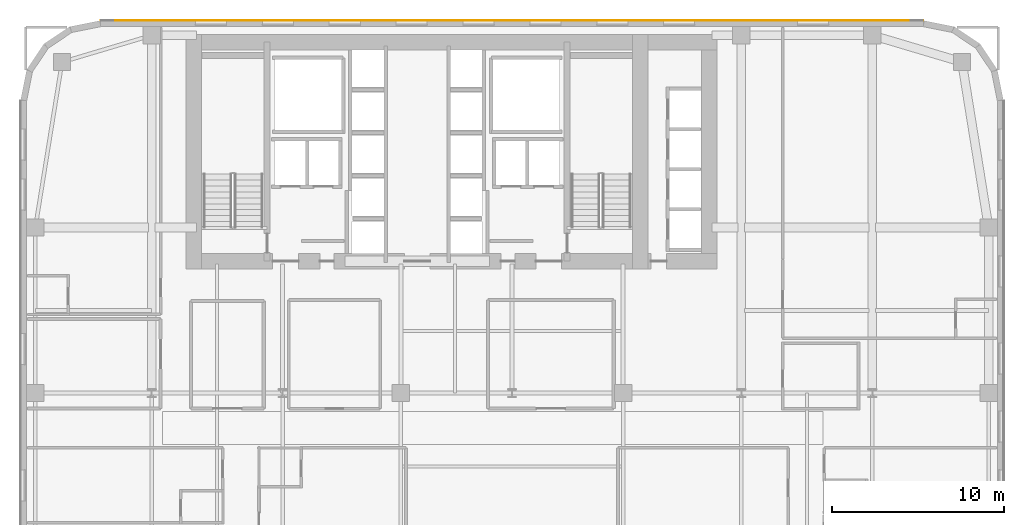
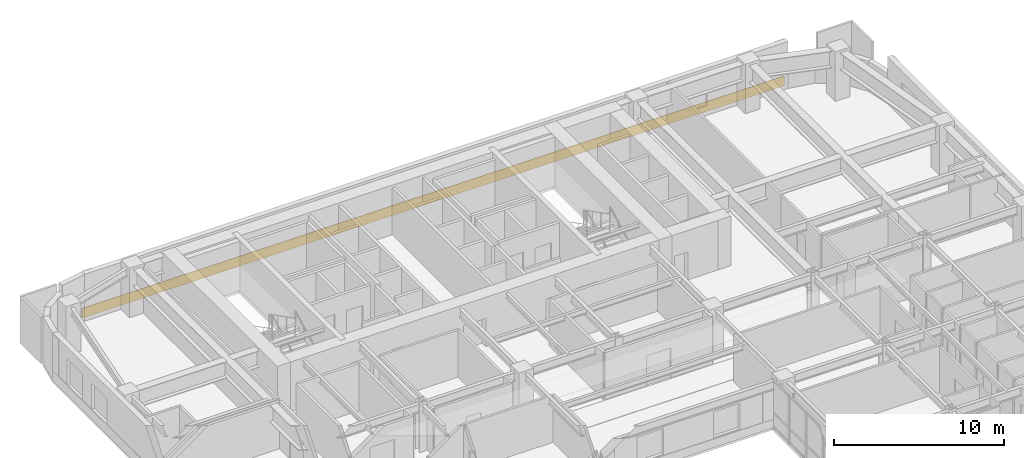
# One storey, part 24 of 25: 1 covering.
"""IFC4 building model written with IfcOpenShell, lengths in metres."""

import ifcopenshell
import ifcopenshell.guid

model = None  # the IFC model being written
_history = None  # IfcOwnerHistory: only IFC2X3 demands one
_inside = {}  # id of a spatial element -> (the spatial element, [elements in it])
_under = {}  # id of a project, library or spatial element -> (it, [spatial elements below it])
_declared = {}  # id of a project -> (the project, [libraries it declares])
_typed = {}  # id of a type object -> (the type object, [elements of that type])
_made_of = {}  # id of a material, layer set ... -> (it, [elements and type objects made of it])


def new_model(schema):
    """Start an empty IFC model of exactly this schema.

    Asked for "IFC4X3", IfcOpenShell would pick the latest addendum, in which some entities
    have other attributes; the version numbers below select the first issue.
    IFC2X3 requires an IfcOwnerHistory on every rooted entity: one is made here for all.
    """
    global model, _history
    if schema == "IFC4X3":
        model = ifcopenshell.file(schema_version=(4, 3, 0, 0))
    else:
        model = ifcopenshell.file(schema=schema)
    _inside.clear()
    _under.clear()
    _declared.clear()
    _typed.clear()
    _made_of.clear()
    _history = None
    if model.schema == "IFC2X3":
        org = make("IfcOrganization", Name="unknown")
        user = make(
            "IfcPersonAndOrganization",
            ThePerson=make("IfcPerson", FamilyName="unknown"),
            TheOrganization=org,
        )
        app = make(
            "IfcApplication",
            ApplicationDeveloper=org,
            Version="unknown",
            ApplicationFullName="unknown",
            ApplicationIdentifier="unknown",
        )
        _history = make(
            "IfcOwnerHistory",
            OwningUser=user,
            OwningApplication=app,
            ChangeAction="ADDED",
            CreationDate=0,
        )
    return model


def make(cls, **values):
    """One entity of the class cls with the attributes given. An attribute that is None is left unset."""
    return model.create_entity(
        cls, **{name: value for name, value in values.items() if value is not None}
    )


def rooted(cls, **values):
    """An entity with a GlobalId (a new one), such as an element, a storey or a relation."""
    return make(cls, GlobalId=ifcopenshell.guid.new(), OwnerHistory=_history, **values)


def si_unit(unit_type, name, prefix=None):
    """IfcSIUnit, for example si_unit("LENGTHUNIT", "METRE", prefix="MILLI")."""
    return make("IfcSIUnit", UnitType=unit_type, Prefix=prefix, Name=name)


def assignment(units):
    """IfcUnitAssignment: the units of a project."""
    return None if units is None else make("IfcUnitAssignment", Units=units)


def point(xyz):
    """IfcCartesianPoint."""
    return None if xyz is None else make("IfcCartesianPoint", Coordinates=xyz)


def direction(xyz):
    """IfcDirection."""
    return None if xyz is None else make("IfcDirection", DirectionRatios=xyz)


def frame(location, z_axis=None, x_axis=None):
    """IfcAxis2Placement3D, a coordinate frame: its origin and axes. An axis left out is left unset."""
    return make(
        "IfcAxis2Placement3D",
        Location=point(location),
        Axis=direction(z_axis),
        RefDirection=direction(x_axis),
    )


def origin():
    """The frame at (0, 0, 0) with its axes left unset."""
    return frame((0.0, 0.0, 0.0))


def place(relative_to, where):
    """IfcLocalPlacement: puts the frame where relative to a parent placement (None: the world)."""
    return make(
        "IfcLocalPlacement", PlacementRelTo=relative_to, RelativePlacement=where
    )


def context(
    kind, dimensions, precision=None, world=None, true_north=None, identifier=None
):
    """IfcGeometricRepresentationContext, for example the 3D "Model" context."""
    return make(
        "IfcGeometricRepresentationContext",
        ContextIdentifier=identifier,
        ContextType=kind,
        CoordinateSpaceDimension=dimensions,
        Precision=precision,
        WorldCoordinateSystem=world,
        TrueNorth=true_north,
    )


def subcontext(parent, identifier, kind, view, scale=None):
    """IfcGeometricRepresentationSubContext, for example "Body" below "Model"."""
    return make(
        "IfcGeometricRepresentationSubContext",
        ContextIdentifier=identifier,
        ContextType=kind,
        ParentContext=parent,
        TargetScale=scale,
        TargetView=view,
    )


def project(units=None, contexts=None):
    """IfcProject with its units and contexts."""
    return rooted(
        "IfcProject",
        Name="project",
        RepresentationContexts=contexts,
        UnitsInContext=assignment(units),
    )


def spatial(cls, under=None, at=None, **own):
    """A site, building, storey or space (cls), placed at a placement, below another one or the project."""
    s = rooted(cls, ObjectPlacement=at, **own)
    if under is not None:
        _under.setdefault(under.id(), (under, []))[1].append(s)
    return s


def polyline(points):
    """IfcPolyline through the points."""
    return make("IfcPolyline", Points=[point(p) for p in points])


def outline(outer, holes=None, kind="AREA"):
    """IfcArbitraryClosedProfileDef: a profile drawn as a closed curve; with holes, ...WithVoids."""
    if holes is None:
        return make("IfcArbitraryClosedProfileDef", ProfileType=kind, OuterCurve=outer)
    return make(
        "IfcArbitraryProfileDefWithVoids",
        ProfileType=kind,
        OuterCurve=outer,
        InnerCurves=holes,
    )


def extrude(swept, where, along, depth):
    """IfcExtrudedAreaSolid: the profile swept, set in the frame where, extruded along a direction by depth."""
    return make(
        "IfcExtrudedAreaSolid",
        SweptArea=swept,
        Position=where,
        ExtrudedDirection=direction(along),
        Depth=depth,
    )


def shape(context_of_items, identifier, shape_type, items):
    """IfcShapeRepresentation: the items that make up one representation, for example the "Body"."""
    return make(
        "IfcShapeRepresentation",
        ContextOfItems=context_of_items,
        RepresentationIdentifier=identifier,
        RepresentationType=shape_type,
        Items=items,
    )


def material(Name=None, Category=None):
    """IfcMaterial."""
    return make("IfcMaterial", Name=Name, Category=Category)


def layer(
    of_material, thickness, ventilated=None, Name=None, Category=None, Priority=None
):
    """IfcMaterialLayer: one layer of a wall or slab, of a material (None: an air gap)."""
    return make(
        "IfcMaterialLayer",
        Material=of_material,
        LayerThickness=thickness,
        IsVentilated=ventilated,
        Name=Name,
        Category=Category,
        Priority=Priority,
    )


def layer_set(layers, Name=None):
    """IfcMaterialLayerSet."""
    return make("IfcMaterialLayerSet", MaterialLayers=layers, LayerSetName=Name)


def made_of(thing, what):
    """Note that an element or type object is made of a material, layer set ...; save() writes the relation."""
    if what is not None:
        _made_of.setdefault(what.id(), (what, []))[1].append(thing)
    return thing


def type_object(cls, material=None, **own):
    """A type object (cls), such as IfcWallType, which elements share."""
    return made_of(rooted(cls, **own), material)


def element(
    cls,
    number,
    at=None,
    inside=None,
    cuts=None,
    type_object=None,
    material=None,
    context=None,
    identifier="Body",
    shape_type=None,
    held_by="IfcProductDefinitionShape",
    body=None,
    shapes=None,
    **own,
):
    """One element of the class cls, such as IfcWall. Its Tag is "e" and its number.

    at: its placement. inside: the storey or other place that contains it. cuts: it is an
    opening in that element (IfcRelVoidsElement). A single representation is given by context,
    identifier, shape_type and body (its items); several are given by shapes. held_by: the class
    of the entity that holds the representations. save() writes the other relations.
    """
    e = rooted(cls, Tag="e%d" % number, ObjectPlacement=at, **own)
    if body is not None:
        shapes = [shape(context, identifier, shape_type, body)]
    if shapes is not None:
        e.Representation = make(held_by, Representations=shapes)
    if inside is not None:
        _inside.setdefault(inside.id(), (inside, []))[1].append(e)
    if cuts is not None:
        rooted(
            "IfcRelVoidsElement", RelatingBuildingElement=cuts, RelatedOpeningElement=e
        )
    if type_object is not None:
        _typed.setdefault(type_object.id(), (type_object, []))[1].append(e)
    return made_of(e, material)


def aggregate(whole, parts):
    """IfcRelAggregates: a whole, such as a stair, and the parts it consists of."""
    return rooted("IfcRelAggregates", RelatingObject=whole, RelatedObjects=parts)


def save(model, path):
    """Write the relations noted so far, then the file.

    IfcRelAggregates (storeys below a building ...), IfcRelContainedInSpatialStructure (elements
    in a storey), IfcRelDefinesByType, IfcRelAssociatesMaterial and IfcRelDeclares: one each for
    every whole, place, type object, material and project.
    """
    for whole, parts in _under.values():
        aggregate(whole, parts)
    for where, things in _inside.values():
        rooted(
            "IfcRelContainedInSpatialStructure",
            RelatedElements=things,
            RelatingStructure=where,
        )
    for kind, things in _typed.values():
        rooted("IfcRelDefinesByType", RelatedObjects=things, RelatingType=kind)
    for what, things in _made_of.values():
        rooted("IfcRelAssociatesMaterial", RelatedObjects=things, RelatingMaterial=what)
    for by, libraries in _declared.values():
        rooted("IfcRelDeclares", RelatingContext=by, RelatedDefinitions=libraries)
    model.write(path)


model = new_model("IFC4")

# Units and contexts
model_context = context("Model", 3, precision=1e-05, world=origin(), true_north=direction((0.0, 1.0)))
body_context = subcontext(model_context, "Body", "Model", "MODEL_VIEW")
ifc_project = project(units=[si_unit("LENGTHUNIT", "METRE"), si_unit("AREAUNIT", "SQUARE_METRE"), si_unit("VOLUMEUNIT", "CUBIC_METRE"), si_unit("PLANEANGLEUNIT", "RADIAN"), si_unit("MASSUNIT", "GRAM", prefix="KILO")], contexts=[model_context])

# Site, building, storey
site_placement = place(None, origin())
site = spatial("IfcSite", under=ifc_project, at=site_placement, CompositionType="ELEMENT")
building_placement = place(site_placement, origin())
building = spatial("IfcBuilding", under=site, at=building_placement, Name="Tolvann Quenvar Hotel", CompositionType="ELEMENT")
storey_placement = place(building_placement, frame((0.0, 0.0, 39.10009765625)))
storey = spatial("IfcBuildingStorey", under=building, at=storey_placement, Name="L08", CompositionType="ELEMENT", Elevation=39.10009765625)

# Covering
ifc_material = material(Name="Moulded buff architectural terracotta spandrel cladding", Category="masonry")
ifc_layer = layer(ifc_material, 0.0400390625)
ifc_layer_set = layer_set([ifc_layer], Name="Moulded buff architectural terracotta spandrel cladding")
covering_type = type_object("IfcCoveringType", Name="COV_CLAD_TERRA_40", PredefinedType="CLADDING", material=ifc_layer_set)
covering_placement = place(storey_placement, origin())
element("IfcCovering", 1, at=covering_placement, inside=storey, type_object=covering_type, Name="Terracotta Spandrel Cladding (L08-E18)", PredefinedType="CLADDING", context=body_context, shape_type="SweptSolid", body=[
    extrude(outline(polyline([(52.3427734375, 46.0), (4.6572265625, 46.0), (4.6572265625, 46.0400390625), (52.3427734375, 46.0400390625), (52.3427734375, 46.0)])), origin(), (0.0, 0.0, 1.0), 0.699951171875),
])

save(model, "model.ifc")
